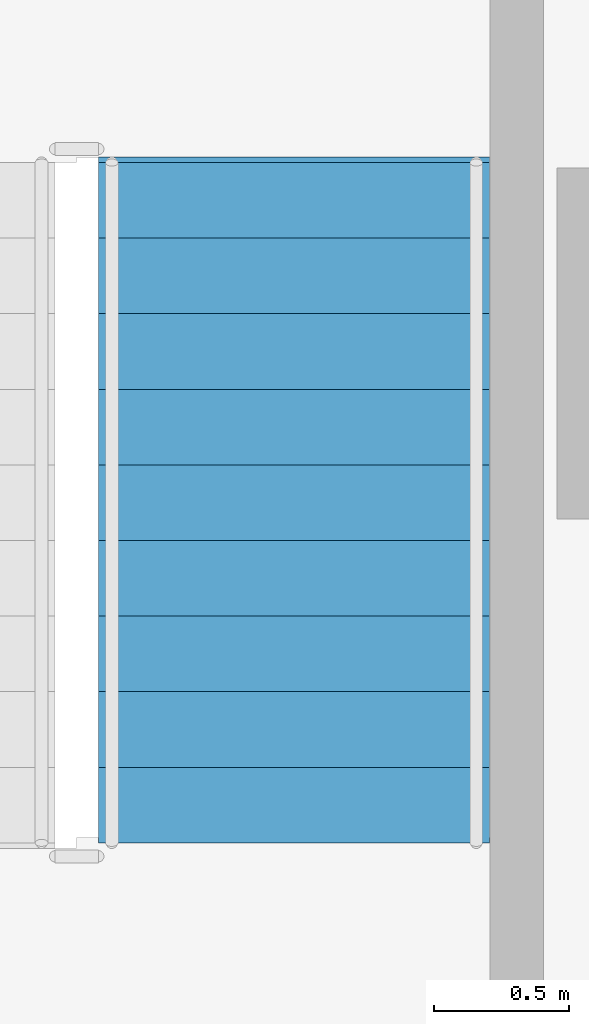
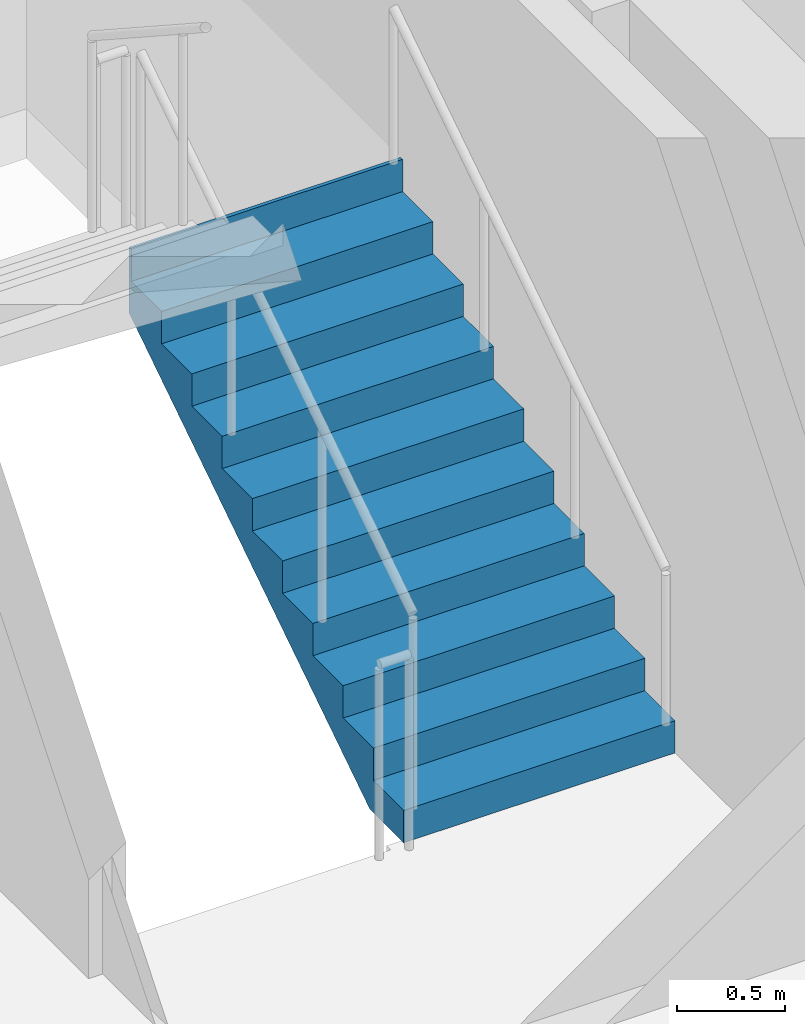
# One storey, part 8 of 12: 1 stair flight, 1 element without a shape of its own.
"""IFC4 building model written with IfcOpenShell, lengths in metres."""

from ifc_helpers import new_model, si_unit, direction, frame, origin, place, context, subcontext, project, spatial, polyline, outline, extrude, material, type_object, element, aggregate, save


model = new_model("IFC4")

# Units and contexts
model_context = context("Model", 3, precision=1e-05, world=origin(), true_north=direction((0.0, 1.0)))
body_context = subcontext(model_context, "Body", "Model", "MODEL_VIEW")
ifc_project = project(units=[si_unit("LENGTHUNIT", "METRE"), si_unit("AREAUNIT", "SQUARE_METRE"), si_unit("VOLUMEUNIT", "CUBIC_METRE"), si_unit("PLANEANGLEUNIT", "RADIAN"), si_unit("MASSUNIT", "GRAM", prefix="KILO")], contexts=[model_context])

# Site, building, storey
site_placement = place(None, origin())
site = spatial("IfcSite", under=ifc_project, at=site_placement, CompositionType="ELEMENT")
building_placement = place(site_placement, origin())
building = spatial("IfcBuilding", under=site, at=building_placement, Name="Nuvemarco Arch Tower", CompositionType="ELEMENT")
storey_placement = place(building_placement, frame((0.0, 0.0, 45.85009765625)))
storey = spatial("IfcBuildingStorey", under=building, at=storey_placement, Name="L11", CompositionType="ELEMENT", Elevation=45.85009765625)

# Stair, stair flight
ifc_material = material(Name="Precast concrete C45/55", Category="concrete")
stair_type = type_object("IfcStairType", Name="ST-CORE-20R", PredefinedType="HALF_TURN_STAIR", material=ifc_material)
stair_placement = place(storey_placement, origin())
stair = element("IfcStair", 1, at=stair_placement, inside=storey, type_object=stair_type, Name="L11 Protected Exit Stair ST-2", PredefinedType="HALF_TURN_STAIR")
stair_flight_type = type_object("IfcStairFlightType", Name="SF-CORE-20R", PredefinedType="STRAIGHT", material=ifc_material)
stair_flight_placement = place(storey_placement, frame((15.875, 2.64990234375, 0.0), z_axis=(0.0, 0.0, 1.0), x_axis=(0.0, 1.0, 0.0)))
stair_flight = element("IfcStairFlight", 2, at=stair_flight_placement, type_object=stair_flight_type, Name="ST-20R flight 1", NumberOfRisers=10, NumberOfTreads=9, PredefinedType="STRAIGHT", RiserHeight=0.1825, TreadLength=0.28, context=body_context, shape_type="SweptSolid", body=[
    extrude(outline(polyline([(0.0, 0.0), (0.0, 0.1826171875), (0.280029296875, 0.1826171875), (0.280029296875, 0.364990234375), (0.56005859375, 0.364990234375), (0.56005859375, 0.547607421875), (0.840087890625, 0.547607421875), (0.840087890625, 0.72998046875), (1.1201171875, 0.72998046875), (1.1201171875, 0.91259765625), (1.39990234375, 0.91259765625), (1.39990234375, 1.094970703125), (1.679931640625, 1.094970703125), (1.679931640625, 1.277587890625), (1.9599609375, 1.277587890625), (1.9599609375, 1.4599609375), (2.239990234375, 1.4599609375), (2.239990234375, 1.642578125), (2.52001953125, 1.642578125), (2.52001953125, 1.824951171875), (2.5400390625, 1.824951171875), (2.5400390625, 1.45166015625), (0.312744140625, 0.0), (0.0, 0.0)])), frame((0.0, 0.72509765625, 0.0), z_axis=(0.0, -1.0, 0.0), x_axis=(1.0, 0.0, 0.0)), (0.0, 0.0, 1.0), 1.449951171875),
])
aggregate(stair, [stair_flight])

save(model, "model.ifc")
